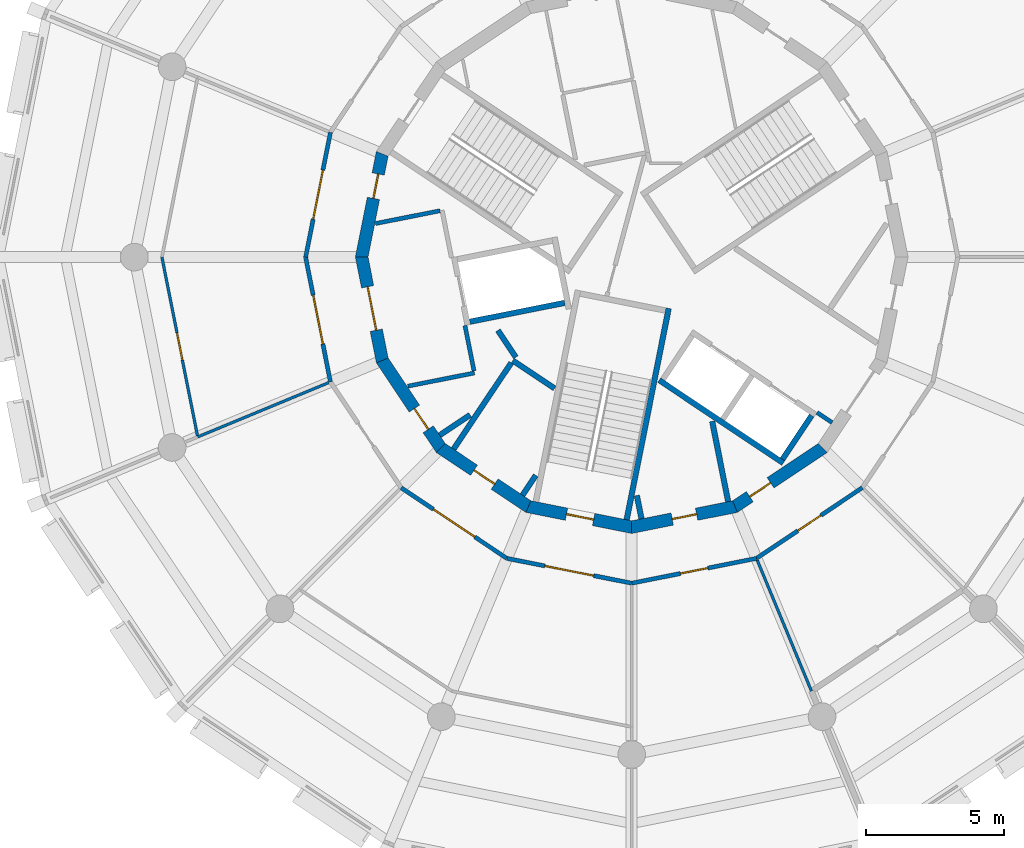
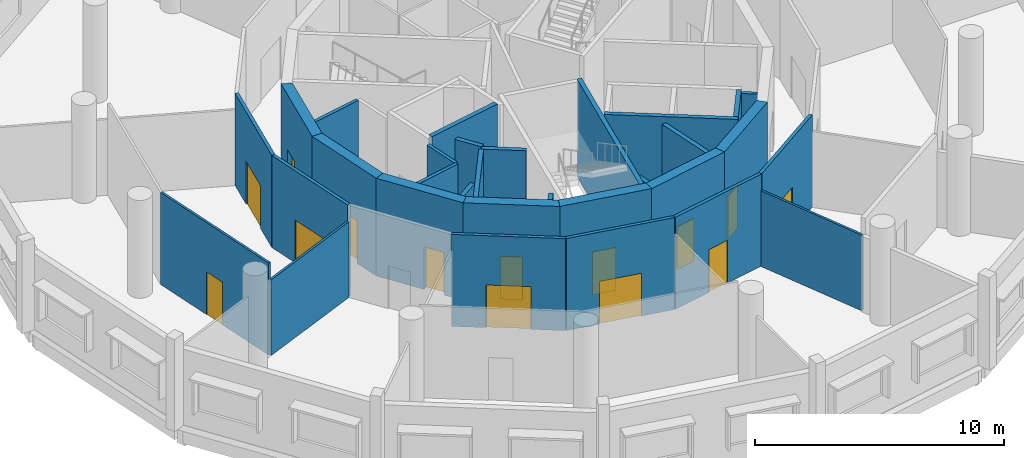
# One storey, part 3 of 8: 31 walls, 14 doors, 14 openings.
"""IFC4 building model written with IfcOpenShell, lengths in metres."""

from ifc_helpers import new_model, si_unit, direction, frame, frame_2d, origin, place, context, subcontext, project, spatial, polyline, rectangle, outline, extrude, material, layer, layer_set, type_object, element, fill, save


model = new_model("IFC4")

# Units and contexts
model_context = context("Model", 3, precision=1e-05, world=origin(), true_north=direction((0.0, 1.0)))
body_context = subcontext(model_context, "Body", "Model", "MODEL_VIEW")
ifc_project = project(units=[si_unit("LENGTHUNIT", "METRE"), si_unit("AREAUNIT", "SQUARE_METRE"), si_unit("VOLUMEUNIT", "CUBIC_METRE"), si_unit("PLANEANGLEUNIT", "RADIAN"), si_unit("MASSUNIT", "GRAM", prefix="KILO")], contexts=[model_context])

# Site, building, storey
site_placement = place(None, origin())
site = spatial("IfcSite", under=ifc_project, at=site_placement, CompositionType="ELEMENT")
building_placement = place(site_placement, origin())
building = spatial("IfcBuilding", under=site, at=building_placement, Name="Ceibo Conservatory and Research Tower", CompositionType="ELEMENT")
storey_placement = place(building_placement, frame((0.0, 0.0, 10.800048828125)))
storey = spatial("IfcBuildingStorey", under=building, at=storey_placement, Name="L02", CompositionType="ELEMENT", Elevation=10.800048828125)

# Wall, opening, door
ifc_material_1 = material(Name="Concrete C40/50", Category="concrete")
ifc_layer_1 = layer(ifc_material_1, 0.449951171875)
ifc_layer_set_1 = layer_set([ifc_layer_1], Name="Concrete C40/50")
wall_type_1 = type_object("IfcWallType", Name="Core wall 450 C40", PredefinedType="SHEAR", material=ifc_layer_set_1)
wall_1_placement = place(storey_placement, frame((38.97314453125, 123.739013671875, 0.0), z_axis=(0.0, 0.0, 1.0), x_axis=(-0.195069197673, -0.98078948206, 0.0)))
wall_1 = element("IfcWall", 1, at=wall_1_placement, inside=storey, type_object=wall_type_1, Name="Core wall L02 08", PredefinedType="SHEAR", context=body_context, shape_type="SweptSolid", body=[
    extrude(outline(polyline([(-0.044677734375, -0.22509765625), (3.85693359375, -0.22509765625), (3.767578125, 0.22509765625), (0.044677734375, 0.22509765625), (-0.044677734375, -0.22509765625)])), origin(), (0.0, 0.0, 1.0), 4.800048828125),
])
opening_1_placement = place(wall_1_placement, frame((0.74462890625, 0.0, 0.0)))
opening_1 = element("IfcOpeningElement", 2, at=opening_1_placement, cuts=wall_1, Name="Opening C02-13", PredefinedType="OPENING", context=body_context, shape_type="SweptSolid", body=[
    extrude(rectangle(XDim=0.89990234375, YDim=2.10009765625, at=frame_2d((0.449951171875, 1.050048828125))), frame((0.0, 0.23486328125, 0.0), z_axis=(0.0, -1.0, 0.0), x_axis=(1.0, 0.0, 0.0)), (0.0, 0.0, 1.0), 0.469970703125),
])
ifc_material_2 = material(Name="Galvanised sheet steel DX51D", Category="steel")
door_type_1 = type_object("IfcDoorType", Name="Riser door 900x2100 EI 60 (left hand)", OperationType="SINGLE_SWING_LEFT", PredefinedType="DOOR", material=ifc_material_2)
door_1_placement = place(opening_1_placement, origin())
door_1 = element("IfcDoor", 3, at=door_1_placement, inside=storey, type_object=door_type_1, Name="Store door 02", OperationType="SINGLE_SWING_LEFT", OverallHeight=2.10009765625, OverallWidth=0.89990234375, PredefinedType="DOOR", context=body_context, shape_type="SweptSolid", body=[
    extrude(rectangle(XDim=0.89990234375, YDim=2.10009765625, at=frame_2d((0.449951171875, 1.050048828125))), frame((0.0, 0.02490234375, 0.0), z_axis=(0.0, -1.0, 0.0), x_axis=(1.0, 0.0, 0.0)), (0.0, 0.0, 1.0), 0.050048828125),
])
fill(opening_1, door_1)

wall_2_placement = place(storey_placement, frame((38.2294921875, 120.0, 0.0), z_axis=(0.0, 0.0, 1.0), x_axis=(0.195069197673, -0.98078948206, 0.0)))
wall_2 = element("IfcWall", 4, at=wall_2_placement, inside=storey, type_object=wall_type_1, Name="Core wall L02 09", PredefinedType="SHEAR", context=body_context, shape_type="SweptSolid", body=[
    extrude(outline(polyline([(-0.044677734375, -0.22509765625), (3.85693359375, -0.22509765625), (3.767578125, 0.22509765625), (0.044677734375, 0.22509765625), (-0.044677734375, -0.22509765625)])), origin(), (0.0, 0.0, 1.0), 4.800048828125),
])
opening_2_placement = place(wall_2_placement, frame((1.0947265625, 0.0, 0.0)))
opening_2 = element("IfcOpeningElement", 5, at=opening_2_placement, cuts=wall_2, Name="Opening C02-06", PredefinedType="OPENING", context=body_context, shape_type="SweptSolid", body=[
    extrude(rectangle(XDim=1.60009765625, YDim=2.10009765625, at=frame_2d((0.800048828125, 1.050048828125))), frame((0.0, 0.23486328125, 0.0), z_axis=(0.0, -1.0, 0.0), x_axis=(1.0, 0.0, 0.0)), (0.0, 0.0, 1.0), 0.469970703125),
])
door_type_2 = type_object("IfcDoorType", Name="Lobby double door 1600x2100 EI 60", OperationType="DOUBLE_DOOR_SINGLE_SWING", PredefinedType="DOOR", material=ifc_material_2)
door_2_placement = place(opening_2_placement, frame((1.60009765625, 0.0, 0.0), z_axis=(0.0, 0.0, 1.0), x_axis=(-1.0, 0.0, 0.0)))
door_2 = element("IfcDoor", 6, at=door_2_placement, inside=storey, type_object=door_type_2, Name="Goods Lift Lobby door 02", OperationType="DOUBLE_DOOR_SINGLE_SWING", OverallHeight=2.10009765625, OverallWidth=1.60009765625, PredefinedType="DOOR", context=body_context, shape_type="SweptSolid", body=[
    extrude(rectangle(XDim=1.60009765625, YDim=2.10009765625, at=frame_2d((0.800048828125, 1.050048828125))), frame((0.0, 0.02490234375, 0.0), z_axis=(0.0, -1.0, 0.0), x_axis=(1.0, 0.0, 0.0)), (0.0, 0.0, 1.0), 0.050048828125),
])
fill(opening_2, door_2)

wall_3_placement = place(storey_placement, frame((38.97314453125, 116.260986328125, 0.0), z_axis=(0.0, 0.0, 1.0), x_axis=(0.555542277102, -0.83148829117, 0.0)))
wall_3 = element("IfcWall", 7, at=wall_3_placement, inside=storey, type_object=wall_type_1, Name="Core wall L02 10", PredefinedType="SHEAR", context=body_context, shape_type="SweptSolid", body=[
    extrude(outline(polyline([(-0.044677734375, -0.22509765625), (3.85693359375, -0.22509765625), (3.767578125, 0.22509765625), (0.044677734375, 0.22509765625), (-0.044677734375, -0.22509765625)])), origin(), (0.0, 0.0, 1.0), 4.800048828125),
])
opening_3_placement = place(wall_3_placement, frame((2.0947265625, 0.0, 0.0)))
opening_3 = element("IfcOpeningElement", 8, at=opening_3_placement, cuts=wall_3, Name="Opening C02-10", PredefinedType="OPENING", context=body_context, shape_type="SweptSolid", body=[
    extrude(rectangle(XDim=0.89990234375, YDim=2.10009765625, at=frame_2d((0.449951171875, 1.050048828125))), frame((0.0, 0.23486328125, 0.0), z_axis=(0.0, -1.0, 0.0), x_axis=(1.0, 0.0, 0.0)), (0.0, 0.0, 1.0), 0.469970703125),
])
door_3_placement = place(opening_3_placement, frame((0.89990234375, 0.0, 0.0), z_axis=(0.0, 0.0, 1.0), x_axis=(-1.0, 0.0, 0.0)))
door_3 = element("IfcDoor", 9, at=door_3_placement, inside=storey, type_object=door_type_1, Name="Mechanical Riser door 02", OperationType="SINGLE_SWING_LEFT", OverallHeight=2.10009765625, OverallWidth=0.89990234375, PredefinedType="DOOR", context=body_context, shape_type="SweptSolid", body=[
    extrude(rectangle(XDim=0.89990234375, YDim=2.10009765625, at=frame_2d((0.449951171875, 1.050048828125))), frame((0.0, 0.02490234375, 0.0), z_axis=(0.0, -1.0, 0.0), x_axis=(1.0, 0.0, 0.0)), (0.0, 0.0, 1.0), 0.050048828125),
])
fill(opening_3, door_3)

wall_4_placement = place(storey_placement, frame((41.091064453125, 113.091064453125, 0.0), z_axis=(0.0, 0.0, 1.0), x_axis=(0.83148829117, -0.555542277102, 0.0)))
wall_4 = element("IfcWall", 10, at=wall_4_placement, inside=storey, type_object=wall_type_1, Name="Core wall L02 11", PredefinedType="SHEAR", context=body_context, shape_type="SweptSolid", body=[
    extrude(outline(polyline([(-0.044677734375, -0.22509765625), (3.85693359375, -0.22509765625), (3.767578125, 0.22509765625), (0.044677734375, 0.22509765625), (-0.044677734375, -0.22509765625)])), origin(), (0.0, 0.0, 1.0), 4.800048828125),
])
opening_4_placement = place(wall_4_placement, frame((1.444580078125, 0.0, 0.0)))
opening_4 = element("IfcOpeningElement", 11, at=opening_4_placement, cuts=wall_4, Name="Opening C02-09", PredefinedType="OPENING", context=body_context, shape_type="SweptSolid", body=[
    extrude(rectangle(XDim=0.89990234375, YDim=2.10009765625, at=frame_2d((0.449951171875, 1.050048828125))), frame((0.0, 0.23486328125, 0.0), z_axis=(0.0, -1.0, 0.0), x_axis=(1.0, 0.0, 0.0)), (0.0, 0.0, 1.0), 0.469970703125),
])
door_type_3 = type_object("IfcDoorType", Name="Riser door 900x2100 EI 60 (right hand)", OperationType="SINGLE_SWING_RIGHT", PredefinedType="DOOR", material=ifc_material_2)
door_4_placement = place(opening_4_placement, frame((0.89990234375, 0.0, 0.0), z_axis=(0.0, 0.0, 1.0), x_axis=(-1.0, 0.0, 0.0)))
door_4 = element("IfcDoor", 12, at=door_4_placement, inside=storey, type_object=door_type_3, Name="Cleaner Store door 02", OperationType="SINGLE_SWING_RIGHT", OverallHeight=2.10009765625, OverallWidth=0.89990234375, PredefinedType="DOOR", context=body_context, shape_type="SweptSolid", body=[
    extrude(rectangle(XDim=0.89990234375, YDim=2.10009765625, at=frame_2d((0.449951171875, 1.050048828125))), frame((0.0, 0.02490234375, 0.0), z_axis=(0.0, -1.0, 0.0), x_axis=(1.0, 0.0, 0.0)), (0.0, 0.0, 1.0), 0.050048828125),
])
fill(opening_4, door_4)

wall_5_placement = place(storey_placement, frame((44.260986328125, 110.97314453125, 0.0), z_axis=(0.0, 0.0, 1.0), x_axis=(0.98078948206, -0.195069197673, 0.0)))
wall_5 = element("IfcWall", 13, at=wall_5_placement, inside=storey, type_object=wall_type_1, Name="Core wall L02 12", PredefinedType="SHEAR", context=body_context, shape_type="SweptSolid", body=[
    extrude(outline(polyline([(-0.044677734375, -0.22509765625), (3.85693359375, -0.22509765625), (3.767578125, 0.22509765625), (0.044677734375, 0.22509765625), (-0.044677734375, -0.22509765625)])), origin(), (0.0, 0.0, 1.0), 4.800048828125),
])
opening_5_placement = place(wall_5_placement, frame((1.40625, 0.0, 0.0)))
opening_5 = element("IfcOpeningElement", 14, at=opening_5_placement, cuts=wall_5, Name="Opening C02-03", PredefinedType="OPENING", context=body_context, shape_type="SweptSolid", body=[
    extrude(rectangle(XDim=1.0, YDim=2.10009765625, at=frame_2d((0.5, 1.050048828125))), frame((0.0, 0.23486328125, 0.0), z_axis=(0.0, -1.0, 0.0), x_axis=(1.0, 0.0, 0.0)), (0.0, 0.0, 1.0), 0.469970703125),
])
door_type_4 = type_object("IfcDoorType", Name="Stair door 1000x2100 EI 120 (right hand)", OperationType="SINGLE_SWING_RIGHT", PredefinedType="DOOR", material=ifc_material_2)
door_5_placement = place(opening_5_placement, origin())
door_5 = element("IfcDoor", 15, at=door_5_placement, inside=storey, type_object=door_type_4, Name="Stair door ST3 02", OperationType="SINGLE_SWING_RIGHT", OverallHeight=2.10009765625, OverallWidth=1.0, PredefinedType="DOOR", context=body_context, shape_type="SweptSolid", body=[
    extrude(rectangle(XDim=1.0, YDim=2.10009765625, at=frame_2d((0.5, 1.050048828125))), frame((0.0, 0.02490234375, 0.0), z_axis=(0.0, -1.0, 0.0), x_axis=(1.0, 0.0, 0.0)), (0.0, 0.0, 1.0), 0.050048828125),
])
fill(opening_5, door_5)

wall_6_placement = place(storey_placement, frame((48.0, 110.2294921875, 0.0), z_axis=(0.0, 0.0, 1.0), x_axis=(0.98078948206, 0.195069197673, 0.0)))
wall_6 = element("IfcWall", 16, at=wall_6_placement, inside=storey, type_object=wall_type_1, Name="Core wall L02 13", PredefinedType="SHEAR", context=body_context, shape_type="SweptSolid", body=[
    extrude(outline(polyline([(-0.044677734375, -0.22509765625), (3.85693359375, -0.22509765625), (3.767578125, 0.22509765625), (0.044677734375, 0.22509765625), (-0.044677734375, -0.22509765625)])), origin(), (0.0, 0.0, 1.0), 4.800048828125),
])
opening_6_placement = place(wall_6_placement, frame((1.49462890625, 0.0, 0.0)))
opening_6 = element("IfcOpeningElement", 17, at=opening_6_placement, cuts=wall_6, Name="Opening C02-11", PredefinedType="OPENING", context=body_context, shape_type="SweptSolid", body=[
    extrude(rectangle(XDim=0.89990234375, YDim=2.10009765625, at=frame_2d((0.449951171875, 1.050048828125))), frame((0.0, 0.23486328125, 0.0), z_axis=(0.0, -1.0, 0.0), x_axis=(1.0, 0.0, 0.0)), (0.0, 0.0, 1.0), 0.469970703125),
])
door_6_placement = place(opening_6_placement, frame((0.89990234375, 0.0, 0.0), z_axis=(0.0, 0.0, 1.0), x_axis=(-1.0, 0.0, 0.0)))
door_6 = element("IfcDoor", 18, at=door_6_placement, inside=storey, type_object=door_type_1, Name="Fire Riser door 02", OperationType="SINGLE_SWING_LEFT", OverallHeight=2.10009765625, OverallWidth=0.89990234375, PredefinedType="DOOR", context=body_context, shape_type="SweptSolid", body=[
    extrude(rectangle(XDim=0.89990234375, YDim=2.10009765625, at=frame_2d((0.449951171875, 1.050048828125))), frame((0.0, 0.02490234375, 0.0), z_axis=(0.0, -1.0, 0.0), x_axis=(1.0, 0.0, 0.0)), (0.0, 0.0, 1.0), 0.050048828125),
])
fill(opening_6, door_6)

wall_7_placement = place(storey_placement, frame((51.739013671875, 110.97314453125, 0.0), z_axis=(0.0, 0.0, 1.0), x_axis=(0.83148829117, 0.555542277102, 0.0)))
wall_7 = element("IfcWall", 19, at=wall_7_placement, inside=storey, type_object=wall_type_1, Name="Core wall L02 14", PredefinedType="SHEAR", context=body_context, shape_type="SweptSolid", body=[
    extrude(outline(polyline([(-0.044677734375, -0.22509765625), (3.85693359375, -0.22509765625), (3.767578125, 0.22509765625), (0.044677734375, 0.22509765625), (-0.044677734375, -0.22509765625)])), origin(), (0.0, 0.0, 1.0), 4.800048828125),
])
opening_7_placement = place(wall_7_placement, frame((0.644775390625, 0.0, 0.0)))
opening_7 = element("IfcOpeningElement", 20, at=opening_7_placement, cuts=wall_7, Name="Opening C02-12", PredefinedType="OPENING", context=body_context, shape_type="SweptSolid", body=[
    extrude(rectangle(XDim=0.89990234375, YDim=2.10009765625, at=frame_2d((0.449951171875, 1.050048828125))), frame((0.0, 0.23486328125, 0.0), z_axis=(0.0, -1.0, 0.0), x_axis=(1.0, 0.0, 0.0)), (0.0, 0.0, 1.0), 0.469970703125),
])
door_7_placement = place(opening_7_placement, origin())
door_7 = element("IfcDoor", 21, at=door_7_placement, inside=storey, type_object=door_type_1, Name="Store door 02", OperationType="SINGLE_SWING_LEFT", OverallHeight=2.10009765625, OverallWidth=0.89990234375, PredefinedType="DOOR", context=body_context, shape_type="SweptSolid", body=[
    extrude(rectangle(XDim=0.89990234375, YDim=2.10009765625, at=frame_2d((0.449951171875, 1.050048828125))), frame((0.0, 0.02490234375, 0.0), z_axis=(0.0, -1.0, 0.0), x_axis=(1.0, 0.0, 0.0)), (0.0, 0.0, 1.0), 0.050048828125),
])
fill(opening_7, door_7)

# Walls
ifc_material_3 = material(Name="Plasterboard on metal studs, fire board")
ifc_layer_2 = layer(ifc_material_3, 0.14990234375)
ifc_layer_set_2 = layer_set([ifc_layer_2], Name="Plasterboard on metal studs, fire board")
wall_type_2 = type_object("IfcWallType", Name="Corridor wall 150 EI 60", PredefinedType="PARTITIONING", material=ifc_layer_set_2)
wall_8_placement = place(storey_placement, frame((39.899169921875, 115.329833984375, 0.0), z_axis=(0.0, 0.0, 1.0), x_axis=(0.980782755583, 0.195103014715, 0.0)))
element("IfcWall", 22, at=wall_8_placement, inside=storey, type_object=wall_type_2, Name="Core partition 02.P004", PredefinedType="PARTITIONING", context=body_context, shape_type="SweptSolid", body=[
    extrude(rectangle(XDim=2.456298828125, YDim=0.14990234375, at=frame_2d((1.22802734375, 0.0))), origin(), (0.0, 0.0, 1.0), 4.52001953125),
])
wall_9_placement = place(storey_placement, frame((42.293701171875, 115.882568359375, 0.0), z_axis=(0.0, 0.0, 1.0), x_axis=(-0.195163043227, 0.980770812452, 0.0)))
element("IfcWall", 23, at=wall_9_placement, inside=storey, type_object=wall_type_2, Name="Core partition 02.P005", PredefinedType="PARTITIONING", context=body_context, shape_type="SweptSolid", body=[
    extrude(rectangle(XDim=1.675048828125, YDim=0.14990234375, at=frame_2d((0.83740234375, 0.0))), origin(), (0.0, 0.0, 1.0), 4.52001953125),
])
wall_10_placement = place(storey_placement, frame((41.064208984375, 121.67919921875, 0.0), z_axis=(0.0, 0.0, 1.0), x_axis=(-0.980781272394, -0.195110470559, 0.0)))
element("IfcWall", 24, at=wall_10_placement, inside=storey, type_object=wall_type_2, Name="Core partition 02.P007", PredefinedType="PARTITIONING", context=body_context, shape_type="SweptSolid", body=[
    extrude(rectangle(XDim=2.381103515625, YDim=0.14990234375, at=frame_2d((1.1904296875, 0.0))), origin(), (0.0, 0.0, 1.0), 4.52001953125),
])
wall_11_placement = place(storey_placement, frame((54.7060546875, 114.376708984375, 0.0), z_axis=(0.0, 0.0, 1.0), x_axis=(0.831421626399, -0.555642042286, 0.0)))
element("IfcWall", 25, at=wall_11_placement, inside=storey, type_object=wall_type_2, Name="Core partition 02.P025", PredefinedType="PARTITIONING", context=body_context, shape_type="SweptSolid", body=[
    extrude(rectangle(XDim=0.65771484375, YDim=0.14990234375, at=frame_2d((0.328857421875, 0.0))), origin(), (0.0, 0.0, 1.0), 4.52001953125),
])

# Wall, opening, door
wall_12_placement = place(storey_placement, frame((36.199951171875, 120.0, 0.0), z_axis=(0.0, 0.0, 1.0), x_axis=(0.19508608079, 0.980786124026, 0.0)))
wall_12 = element("IfcWall", 26, at=wall_12_placement, inside=storey, type_object=wall_type_2, Name="Partition 02.005", PredefinedType="PARTITIONING", context=body_context, shape_type="SweptSolid", body=[
    extrude(rectangle(XDim=4.60400390625, YDim=0.14990234375, at=frame_2d((2.302001953125, 0.0))), origin(), (0.0, 0.0, 1.0), 4.52001953125),
])
opening_8_placement = place(wall_12_placement, frame((1.402099609375, 0.0, 0.0)))
opening_8 = element("IfcOpeningElement", 27, at=opening_8_placement, cuts=wall_12, Name="Opening T02-01", PredefinedType="OPENING", context=body_context, shape_type="SweptSolid", body=[
    extrude(rectangle(XDim=1.800048828125, YDim=2.10009765625, at=frame_2d((0.89990234375, 1.050048828125))), frame((0.0, 0.0849609375, 0.0), z_axis=(0.0, -1.0, 0.0), x_axis=(1.0, 0.0, 0.0)), (0.0, 0.0, 1.0), 0.169921875),
])
door_type_5 = type_object("IfcDoorType", Name="Door fire double 1800x2100 EI 60", OperationType="DOUBLE_DOOR_SINGLE_SWING", PredefinedType="DOOR", material=ifc_material_2)
door_8_placement = place(opening_8_placement, origin())
door_8 = element("IfcDoor", 28, at=door_8_placement, inside=storey, type_object=door_type_5, Name="Door T02-01", OperationType="DOUBLE_DOOR_SINGLE_SWING", OverallHeight=2.10009765625, OverallWidth=1.800048828125, PredefinedType="DOOR", context=body_context, shape_type="SweptSolid", body=[
    extrude(rectangle(XDim=1.800048828125, YDim=2.10009765625, at=frame_2d((0.89990234375, 1.050048828125))), frame((0.0, 0.02490234375, 0.0), z_axis=(0.0, -1.0, 0.0), x_axis=(1.0, 0.0, 0.0)), (0.0, 0.0, 1.0), 0.050048828125),
])
fill(opening_8, door_8)

wall_13_placement = place(storey_placement, frame((37.09814453125, 115.484375, 0.0), z_axis=(0.0, 0.0, 1.0), x_axis=(-0.19508608079, 0.980786124026, 0.0)))
wall_13 = element("IfcWall", 29, at=wall_13_placement, inside=storey, type_object=wall_type_2, Name="Partition 02.009", PredefinedType="PARTITIONING", context=body_context, shape_type="SweptSolid", body=[
    extrude(rectangle(XDim=4.60400390625, YDim=0.14990234375, at=frame_2d((2.302001953125, 0.0))), origin(), (0.0, 0.0, 1.0), 4.52001953125),
])
opening_9_placement = place(wall_13_placement, frame((1.402099609375, 0.0, 0.0)))
opening_9 = element("IfcOpeningElement", 30, at=opening_9_placement, cuts=wall_13, Name="Opening T02-02", PredefinedType="OPENING", context=body_context, shape_type="SweptSolid", body=[
    extrude(rectangle(XDim=1.800048828125, YDim=2.10009765625, at=frame_2d((0.89990234375, 1.050048828125))), frame((0.0, 0.0849609375, 0.0), z_axis=(0.0, -1.0, 0.0), x_axis=(1.0, 0.0, 0.0)), (0.0, 0.0, 1.0), 0.169921875),
])
door_9_placement = place(opening_9_placement, origin())
door_9 = element("IfcDoor", 31, at=door_9_placement, inside=storey, type_object=door_type_5, Name="Door T02-02", OperationType="DOUBLE_DOOR_SINGLE_SWING", OverallHeight=2.10009765625, OverallWidth=1.800048828125, PredefinedType="DOOR", context=body_context, shape_type="SweptSolid", body=[
    extrude(rectangle(XDim=1.800048828125, YDim=2.10009765625, at=frame_2d((0.89990234375, 1.050048828125))), frame((0.0, 0.02490234375, 0.0), z_axis=(0.0, -1.0, 0.0), x_axis=(1.0, 0.0, 0.0)), (0.0, 0.0, 1.0), 0.050048828125),
])
fill(opening_9, door_9)

wall_14_placement = place(storey_placement, frame((48.0, 108.199951171875, 0.0), z_axis=(0.0, 0.0, 1.0), x_axis=(-0.980786124026, 0.19508608079, 0.0)))
wall_14 = element("IfcWall", 32, at=wall_14_placement, inside=storey, type_object=wall_type_2, Name="Partition 02.011", PredefinedType="PARTITIONING", context=body_context, shape_type="SweptSolid", body=[
    extrude(rectangle(XDim=4.60400390625, YDim=0.14990234375, at=frame_2d((2.302001953125, 0.0))), origin(), (0.0, 0.0, 1.0), 4.52001953125),
])
opening_10_placement = place(wall_14_placement, frame((1.402099609375, 0.0, 0.0)))
opening_10 = element("IfcOpeningElement", 33, at=opening_10_placement, cuts=wall_14, Name="Opening T02-06", PredefinedType="OPENING", context=body_context, shape_type="SweptSolid", body=[
    extrude(rectangle(XDim=1.800048828125, YDim=2.10009765625, at=frame_2d((0.89990234375, 1.050048828125))), frame((0.0, 0.0849609375, 0.0), z_axis=(0.0, -1.0, 0.0), x_axis=(1.0, 0.0, 0.0)), (0.0, 0.0, 1.0), 0.169921875),
])
door_10_placement = place(opening_10_placement, origin())
door_10 = element("IfcDoor", 34, at=door_10_placement, inside=storey, type_object=door_type_5, Name="Door T02-06", OperationType="DOUBLE_DOOR_SINGLE_SWING", OverallHeight=2.10009765625, OverallWidth=1.800048828125, PredefinedType="DOOR", context=body_context, shape_type="SweptSolid", body=[
    extrude(rectangle(XDim=1.800048828125, YDim=2.10009765625, at=frame_2d((0.89990234375, 1.050048828125))), frame((0.0, 0.02490234375, 0.0), z_axis=(0.0, -1.0, 0.0), x_axis=(1.0, 0.0, 0.0)), (0.0, 0.0, 1.0), 0.050048828125),
])
fill(opening_10, door_10)

wall_15_placement = place(storey_placement, frame((43.484375, 109.09814453125, 0.0), z_axis=(0.0, 0.0, 1.0), x_axis=(-0.831486983854, 0.555544233776, 0.0)))
wall_15 = element("IfcWall", 35, at=wall_15_placement, inside=storey, type_object=wall_type_2, Name="Partition 02.012", PredefinedType="PARTITIONING", context=body_context, shape_type="SweptSolid", body=[
    extrude(rectangle(XDim=4.604248046875, YDim=0.14990234375, at=frame_2d((2.30224609375, 0.0))), origin(), (0.0, 0.0, 1.0), 4.52001953125),
])
opening_11_placement = place(wall_15_placement, frame((1.402099609375, 0.0, 0.0)))
opening_11 = element("IfcOpeningElement", 36, at=opening_11_placement, cuts=wall_15, Name="Opening T02-05", PredefinedType="OPENING", context=body_context, shape_type="SweptSolid", body=[
    extrude(rectangle(XDim=1.800048828125, YDim=2.10009765625, at=frame_2d((0.89990234375, 1.050048828125))), frame((0.0, 0.0849609375, 0.0), z_axis=(0.0, -1.0, 0.0), x_axis=(1.0, 0.0, 0.0)), (0.0, 0.0, 1.0), 0.169921875),
])
door_11_placement = place(opening_11_placement, origin())
door_11 = element("IfcDoor", 37, at=door_11_placement, inside=storey, type_object=door_type_5, Name="Door T02-05", OperationType="DOUBLE_DOOR_SINGLE_SWING", OverallHeight=2.10009765625, OverallWidth=1.800048828125, PredefinedType="DOOR", context=body_context, shape_type="SweptSolid", body=[
    extrude(rectangle(XDim=1.800048828125, YDim=2.10009765625, at=frame_2d((0.89990234375, 1.050048828125))), frame((0.0, 0.02490234375, 0.0), z_axis=(0.0, -1.0, 0.0), x_axis=(1.0, 0.0, 0.0)), (0.0, 0.0, 1.0), 0.050048828125),
])
fill(opening_11, door_11)

wall_16_placement = place(storey_placement, frame((52.515625, 109.09814453125, 0.0), z_axis=(0.0, 0.0, 1.0), x_axis=(-0.980786124026, -0.19508608079, 0.0)))
wall_16 = element("IfcWall", 38, at=wall_16_placement, inside=storey, type_object=wall_type_2, Name="Partition 02.013", PredefinedType="PARTITIONING", context=body_context, shape_type="SweptSolid", body=[
    extrude(rectangle(XDim=4.60400390625, YDim=0.14990234375, at=frame_2d((2.302001953125, 0.0))), origin(), (0.0, 0.0, 1.0), 4.52001953125),
])
opening_12_placement = place(wall_16_placement, frame((1.802001953125, 0.0, 0.0)))
opening_12 = element("IfcOpeningElement", 39, at=opening_12_placement, cuts=wall_16, Name="Opening T02-08", PredefinedType="OPENING", context=body_context, shape_type="SweptSolid", body=[
    extrude(rectangle(XDim=1.0, YDim=2.10009765625, at=frame_2d((0.5, 1.050048828125))), frame((0.0, 0.0849609375, 0.0), z_axis=(0.0, -1.0, 0.0), x_axis=(1.0, 0.0, 0.0)), (0.0, 0.0, 1.0), 0.169921875),
])
door_type_6 = type_object("IfcDoorType", Name="Door fire single wide 1000x2100 EI 60 (left hand)", OperationType="SINGLE_SWING_LEFT", PredefinedType="DOOR", material=ifc_material_2)
door_12_placement = place(opening_12_placement, origin())
door_12 = element("IfcDoor", 40, at=door_12_placement, inside=storey, type_object=door_type_6, Name="Door T02-08", OperationType="SINGLE_SWING_LEFT", OverallHeight=2.10009765625, OverallWidth=1.0, PredefinedType="DOOR", context=body_context, shape_type="SweptSolid", body=[
    extrude(rectangle(XDim=1.0, YDim=2.10009765625, at=frame_2d((0.5, 1.050048828125))), frame((0.0, 0.02490234375, 0.0), z_axis=(0.0, -1.0, 0.0), x_axis=(1.0, 0.0, 0.0)), (0.0, 0.0, 1.0), 0.050048828125),
])
fill(opening_12, door_12)

wall_17_placement = place(storey_placement, frame((56.343994140625, 111.656005859375, 0.0), z_axis=(0.0, 0.0, 1.0), x_axis=(-0.831486983854, -0.555544233776, 0.0)))
wall_17 = element("IfcWall", 41, at=wall_17_placement, inside=storey, type_object=wall_type_2, Name="Partition 02.014", PredefinedType="PARTITIONING", context=body_context, shape_type="SweptSolid", body=[
    extrude(rectangle(XDim=4.604248046875, YDim=0.14990234375, at=frame_2d((2.30224609375, 0.0))), origin(), (0.0, 0.0, 1.0), 4.52001953125),
])
opening_13_placement = place(wall_17_placement, frame((1.802001953125, 0.0, 0.0)))
opening_13 = element("IfcOpeningElement", 42, at=opening_13_placement, cuts=wall_17, Name="Opening T02-09", PredefinedType="OPENING", context=body_context, shape_type="SweptSolid", body=[
    extrude(rectangle(XDim=1.0, YDim=2.10009765625, at=frame_2d((0.5, 1.050048828125))), frame((0.0, 0.0849609375, 0.0), z_axis=(0.0, -1.0, 0.0), x_axis=(1.0, 0.0, 0.0)), (0.0, 0.0, 1.0), 0.169921875),
])
door_type_7 = type_object("IfcDoorType", Name="Door fire single wide 1000x2100 EI 60 (right hand)", OperationType="SINGLE_SWING_RIGHT", PredefinedType="DOOR", material=ifc_material_2)
door_13_placement = place(opening_13_placement, origin())
door_13 = element("IfcDoor", 43, at=door_13_placement, inside=storey, type_object=door_type_7, Name="Door T02-09", OperationType="SINGLE_SWING_RIGHT", OverallHeight=2.10009765625, OverallWidth=1.0, PredefinedType="DOOR", context=body_context, shape_type="SweptSolid", body=[
    extrude(rectangle(XDim=1.0, YDim=2.10009765625, at=frame_2d((0.5, 1.050048828125))), frame((0.0, 0.02490234375, 0.0), z_axis=(0.0, -1.0, 0.0), x_axis=(1.0, 0.0, 0.0)), (0.0, 0.0, 1.0), 0.050048828125),
])
fill(opening_13, door_13)

ifc_material_4 = material(Name="Plasterboard on metal studs")
ifc_layer_3 = layer(ifc_material_4, 0.10009765625)
ifc_layer_set_3 = layer_set([ifc_layer_3], Name="Plasterboard on metal studs")
wall_type_3 = type_object("IfcWallType", Name="Partition 100", PredefinedType="PARTITIONING", material=ifc_layer_set_3)
wall_18_placement = place(storey_placement, frame((32.284912109375, 113.53955078125, 0.0), z_axis=(0.0, 0.0, 1.0), x_axis=(-0.195068250166, 0.980789670509, 0.0)))
wall_18 = element("IfcWall", 44, at=wall_18_placement, inside=storey, type_object=wall_type_3, Name="Partition 02.017", PredefinedType="PARTITIONING", context=body_context, shape_type="SweptSolid", body=[
    extrude(rectangle(XDim=6.5869140625, YDim=0.10009765625, at=frame_2d((3.29345703125, 0.0))), origin(), (0.0, 0.0, 1.0), 4.52001953125),
])
opening_14_placement = place(wall_18_placement, frame((2.793701171875, 0.0, 0.0)))
opening_14 = element("IfcOpeningElement", 45, at=opening_14_placement, cuts=wall_18, Name="Opening T02-03", PredefinedType="OPENING", context=body_context, shape_type="SweptSolid", body=[
    extrude(rectangle(XDim=1.0, YDim=2.10009765625, at=frame_2d((0.5, 1.050048828125))), frame((0.0, 0.06005859375, 0.0), z_axis=(0.0, -1.0, 0.0), x_axis=(1.0, 0.0, 0.0)), (0.0, 0.0, 1.0), 0.1201171875),
])
ifc_material_5 = material(Name="Solid timber", Category="wood")
door_type_8 = type_object("IfcDoorType", Name="Door single wide 1000x2100 (left hand)", OperationType="SINGLE_SWING_LEFT", PredefinedType="DOOR", material=ifc_material_5)
door_14_placement = place(opening_14_placement, origin())
door_14 = element("IfcDoor", 46, at=door_14_placement, inside=storey, type_object=door_type_8, Name="Door T02-03", OperationType="SINGLE_SWING_LEFT", OverallHeight=2.10009765625, OverallWidth=1.0, PredefinedType="DOOR", context=body_context, shape_type="SweptSolid", body=[
    extrude(rectangle(XDim=1.0, YDim=2.10009765625, at=frame_2d((0.5, 1.050048828125))), frame((0.0, 0.02490234375, 0.0), z_axis=(0.0, -1.0, 0.0), x_axis=(1.0, 0.0, 0.0)), (0.0, 0.0, 1.0), 0.050048828125),
])
fill(opening_14, door_14)

# Walls
for number, where, z_axis, x_axis, name in (
    (47, (37.0322265625, 115.45703125, 0.0), (0.0, 0.0, 1.0), (-0.923873517093, -0.382697954548, 0.0), "Partition 02.019"),
    (48, (52.54296875, 109.0322265625, 0.0), (0.0, 0.0, 1.0), (0.382697954548, -0.923873517093, 0.0), "Partition 02.033"),
):
    element("IfcWall", number, at=place(storey_placement, frame(where, z_axis=z_axis, x_axis=x_axis)), inside=storey, type_object=wall_type_3, Name=name, PredefinedType="PARTITIONING", context=body_context, shape_type="SweptSolid", body=[
        extrude(rectangle(XDim=5.12841796875, YDim=0.10009765625, at=frame_2d((2.564208984375, 0.0))), origin(), (0.0, 0.0, 1.0), 3.719970703125),
    ])
ifc_material_6 = material(Name="Masonry blockwork", Category="masonry")
ifc_layer_4 = layer(ifc_material_6, 0.199951171875)
ifc_layer_set_4 = layer_set([ifc_layer_4], Name="Masonry blockwork")
wall_type_4 = type_object("IfcWallType", Name="Riser wall 200 EI 120", PredefinedType="SOLIDWALL", material=ifc_layer_set_4)
wall_19_placement = place(storey_placement, frame((43.697265625, 116.26025390625, 0.0), z_axis=(0.0, 0.0, 1.0), x_axis=(0.831408849916, -0.555661159593, 0.0)))
element("IfcWall", 49, at=wall_19_placement, inside=storey, type_object=wall_type_4, Name="Core partition 02.P018", PredefinedType="SOLIDWALL", context=body_context, shape_type="SweptSolid", body=[
    extrude(rectangle(XDim=1.81689453125, YDim=0.199951171875, at=frame_2d((0.908447265625, 0.0))), origin(), (0.0, 0.0, 1.0), 4.52001953125),
])
wall_20_placement = place(storey_placement, frame((44.52783203125, 112.103515625, 0.0), z_axis=(0.0, 0.0, 1.0), x_axis=(-0.55561384329, -0.831440471197, 0.0)))
element("IfcWall", 50, at=wall_20_placement, inside=storey, type_object=wall_type_4, Name="Core partition 02.P019", PredefinedType="SOLIDWALL", context=body_context, shape_type="SweptSolid", body=[
    extrude(rectangle(XDim=0.863037109375, YDim=0.199951171875, at=frame_2d((0.431640625, 0.0))), origin(), (0.0, 0.0, 1.0), 4.52001953125),
])
wall_21_placement = place(storey_placement, frame((41.553955078125, 113.052490234375, 0.0), z_axis=(0.0, 0.0, 1.0), x_axis=(0.555524492638, 0.831500173228, 0.0)))
element("IfcWall", 51, at=wall_21_placement, inside=storey, type_object=wall_type_4, Name="Core partition 02.P020", PredefinedType="SOLIDWALL", context=body_context, shape_type="SweptSolid", body=[
    extrude(rectangle(XDim=3.758056640625, YDim=0.199951171875, at=frame_2d((1.87890625, 0.0))), origin(), (0.0, 0.0, 1.0), 4.52001953125),
])
wall_22_placement = place(storey_placement, frame((43.1572265625, 117.347900390625, 0.0), z_axis=(0.0, 0.0, 1.0), x_axis=(0.555615365777, -0.831439453786, 0.0)))
element("IfcWall", 52, at=wall_22_placement, inside=storey, type_object=wall_type_4, Name="Core partition 02.P021", PredefinedType="SOLIDWALL", context=body_context, shape_type="SweptSolid", body=[
    extrude(rectangle(XDim=1.169189453125, YDim=0.199951171875, at=frame_2d((0.58447265625, 0.0))), origin(), (0.0, 0.0, 1.0), 4.52001953125),
])
wall_23_placement = place(storey_placement, frame((42.151611328125, 114.288330078125, 0.0), z_axis=(0.0, 0.0, 1.0), x_axis=(-0.83148157585, -0.555552327889, 0.0)))
element("IfcWall", 53, at=wall_23_placement, inside=storey, type_object=wall_type_4, Name="Core partition 02.P022", PredefinedType="SOLIDWALL", context=body_context, shape_type="SweptSolid", body=[
    extrude(rectangle(XDim=1.32177734375, YDim=0.199951171875, at=frame_2d((0.660888671875, 0.0))), origin(), (0.0, 0.0, 1.0), 4.52001953125),
])
wall_24_placement = place(storey_placement, frame((50.912353515625, 114.059326171875, 0.0), z_axis=(0.0, 0.0, 1.0), x_axis=(0.195101986683, -0.980782960085, 0.0)))
element("IfcWall", 54, at=wall_24_placement, inside=storey, type_object=wall_type_4, Name="Core partition 02.P023", PredefinedType="SOLIDWALL", context=body_context, shape_type="SweptSolid", body=[
    extrude(rectangle(XDim=2.963134765625, YDim=0.199951171875, at=frame_2d((1.4814453125, 0.0))), origin(), (0.0, 0.0, 1.0), 4.52001953125),
])
wall_25_placement = place(storey_placement, frame((48.354248046875, 110.529296875, 0.0), z_axis=(0.0, 0.0, 1.0), x_axis=(-0.194865027791, 0.980830067312, 0.0)))
element("IfcWall", 55, at=wall_25_placement, inside=storey, type_object=wall_type_4, Name="Core partition 02.P024", PredefinedType="SOLIDWALL", context=body_context, shape_type="SweptSolid", body=[
    extrude(rectangle(XDim=0.86328125, YDim=0.199951171875, at=frame_2d((0.431640625, 0.0))), origin(), (0.0, 0.0, 1.0), 4.52001953125),
])
ifc_layer_5 = layer(ifc_material_1, 0.199951171875)
ifc_layer_set_5 = layer_set([ifc_layer_5], Name="Concrete C40/50")
wall_type_5 = type_object("IfcWallType", Name="Shaft wall 200 C40", PredefinedType="SHEAR", material=ifc_layer_set_5)
wall_26_placement = place(storey_placement, frame((48.993896484375, 115.547607421875, 0.0), z_axis=(0.0, 0.0, 1.0), x_axis=(0.831444656906, -0.555607579593, 0.0)))
element("IfcWall", 56, at=wall_26_placement, inside=storey, type_object=wall_type_5, Name="Shaft wall LRB.B L02", PredefinedType="SHEAR", context=body_context, shape_type="SweptSolid", body=[
    extrude(rectangle(XDim=5.39990234375, YDim=0.199951171875, at=frame_2d((2.699951171875, 0.0))), origin(), (0.0, 0.0, 1.0), 4.800048828125),
])
wall_27_placement = place(storey_placement, frame((54.51171875, 114.265869140625, 0.0), z_axis=(0.0, 0.0, 1.0), x_axis=(-0.555589423235, -0.83145678949, 0.0)))
element("IfcWall", 57, at=wall_27_placement, inside=storey, type_object=wall_type_5, Name="Shaft wall LRB.X2 L02", PredefinedType="SHEAR", context=body_context, shape_type="SweptSolid", body=[
    extrude(rectangle(XDim=1.900146484375, YDim=0.199951171875, at=frame_2d((0.9501953125, 0.0))), origin(), (0.0, 0.0, 1.0), 4.800048828125),
])
wall_28_placement = place(storey_placement, frame((45.576171875, 118.345458984375, 0.0), z_axis=(0.0, 0.0, 1.0), x_axis=(-0.980781381237, -0.195109923423, 0.0)))
element("IfcWall", 58, at=wall_28_placement, inside=storey, type_object=wall_type_5, Name="Shaft wall LG1.S1 L02", PredefinedType="SHEAR", context=body_context, shape_type="SweptSolid", body=[
    extrude(rectangle(XDim=3.5, YDim=0.199951171875, at=frame_2d((1.75, 0.0))), origin(), (0.0, 0.0, 1.0), 4.800048828125),
])
ifc_layer_6 = layer(ifc_material_1, 0.199951171875)
ifc_layer_set_6 = layer_set([ifc_layer_6], Name="Concrete C40/50")
wall_type_6 = type_object("IfcWallType", Name="Stair wall 200 C40", PredefinedType="SHEAR", material=ifc_layer_set_6)
wall_29_placement = place(storey_placement, frame((49.3388671875, 118.145263671875, 0.0), z_axis=(0.0, 0.0, 1.0), x_axis=(-0.195092759861, -0.980784795483, 0.0)))
element("IfcWall", 59, at=wall_29_placement, inside=storey, type_object=wall_type_6, Name="Stair wall ST3.W1 L02", PredefinedType="SHEAR", context=body_context, shape_type="SweptSolid", body=[
    extrude(rectangle(XDim=7.800048828125, YDim=0.199951171875, at=frame_2d((3.89990234375, 0.0))), origin(), (0.0, 0.0, 1.0), 4.800048828125),
])

save(model, "model.ifc")
